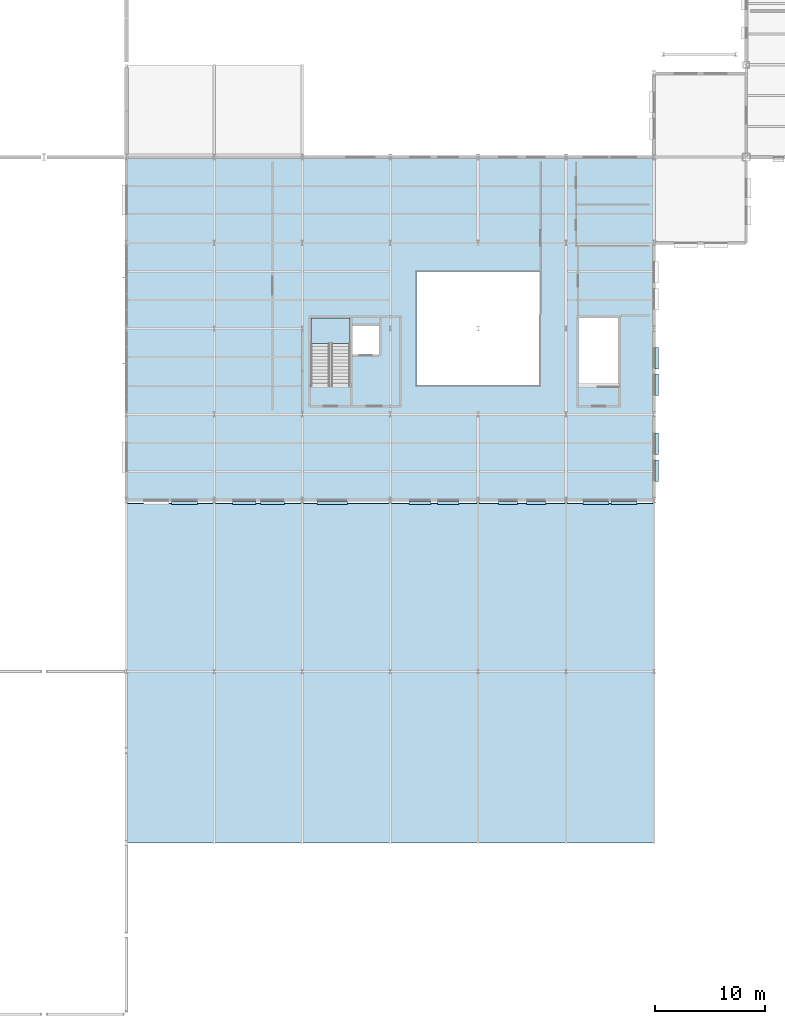
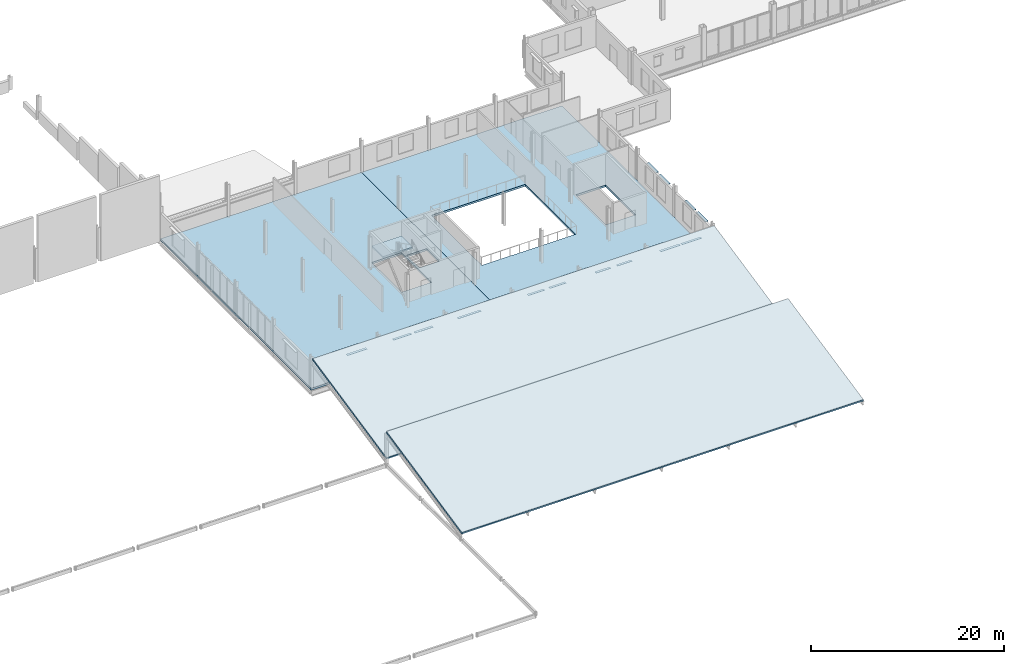
# One storey, part 21 of 45: 14 plates, 5 slabs, 1 element without a shape of its own.
"""IFC4 building model written with IfcOpenShell, lengths in metres."""

from ifc_helpers import new_model, si_unit, direction, frame, origin, origin_2d, place, context, subcontext, project, spatial, polyline, rectangle, outline, extrude, material, layer, layer_set, type_object, element, aggregate, save


model = new_model("IFC4")

# Units and contexts
model_context = context("Model", 3, precision=1e-05, world=origin(), true_north=direction((0.0, 1.0)))
body_context = subcontext(model_context, "Body", "Model", "MODEL_VIEW")
ifc_project = project(units=[si_unit("LENGTHUNIT", "METRE"), si_unit("AREAUNIT", "SQUARE_METRE"), si_unit("VOLUMEUNIT", "CUBIC_METRE"), si_unit("PLANEANGLEUNIT", "RADIAN"), si_unit("MASSUNIT", "GRAM", prefix="KILO")], contexts=[model_context])

# Site, building, storey
site_placement = place(None, origin())
site = spatial("IfcSite", under=ifc_project, at=site_placement, CompositionType="ELEMENT")
building_placement = place(site_placement, origin())
building = spatial("IfcBuilding", under=site, at=building_placement, Name="Yukiwa Park Conservatory and Herbarium", CompositionType="ELEMENT")
storey_placement = place(building_placement, frame((0.0, 0.0, 9.0)))
storey = spatial("IfcBuildingStorey", under=building, at=storey_placement, Name="L02", CompositionType="ELEMENT", Elevation=9.0)

# Plates
ifc_material_1 = material(Name="Anodised Aluminium", Category="aluminium")
ifc_layer_1 = layer(ifc_material_1, 0.0400390625)
ifc_layer_set_1 = layer_set([ifc_layer_1], Name="Anodised Aluminium")
plate_type = type_object("IfcPlateType", Name="PL-SHADE-ALU-40", PredefinedType="SHEET", material=ifc_layer_set_1)
for number, where, z_axis, x_axis, name in (
    (1, (108.27001953125, 49.47998046875, 3.1298828125), (0.0, 0.0, 1.0), (0.0, 1.0, 0.0), "L02 snow-shedding window hood 79"),
    (2, (108.27001953125, 51.919921875, 3.1298828125), (0.0, 0.0, 1.0), (0.0, 1.0, 0.0), "L02 snow-shedding window hood 80"),
    (3, (108.27001953125, 57.280029296875, 3.1298828125), (0.0, 0.0, 1.0), (0.0, 1.0, 0.0), "L02 snow-shedding window hood 81"),
    (4, (108.27001953125, 59.719970703125, 3.1298828125), (0.0, 0.0, 1.0), (0.0, 1.0, 0.0), "L02 snow-shedding window hood 82"),
):
    element("IfcPlate", number, at=place(storey_placement, frame(where, z_axis=z_axis, x_axis=x_axis)), inside=storey, type_object=plate_type, Name=name, PredefinedType="SHEET", context=body_context, shape_type="SweptSolid", body=[
        extrude(rectangle(XDim=1.9599609375, YDim=0.300048828125, at=origin_2d()), origin(), (0.0, 0.0, 1.0), 0.0400390625),
    ])
plate_1_placement = place(storey_placement, frame((65.282958984375, 46.530029296875, 2.929931640625), z_axis=(0.0, 0.0, 1.0), x_axis=(1.0, 0.0, 0.0)))
element("IfcPlate", 5, at=plate_1_placement, inside=storey, type_object=plate_type, Name="L02 snow-shedding window hood 110", PredefinedType="SHEET", context=body_context, shape_type="SweptSolid", body=[
    extrude(rectangle(XDim=2.360107421875, YDim=0.300048828125, at=origin_2d()), origin(), (0.0, 0.0, 1.0), 0.0400390625),
])
for number, where, z_axis, x_axis, name in (
    (6, (70.717041015625, 46.530029296875, 2.929931640625), (0.0, 0.0, 1.0), (1.0, 0.0, 0.0), "L02 snow-shedding window hood 111"),
    (7, (73.282958984375, 46.530029296875, 2.929931640625), (0.0, 0.0, 1.0), (1.0, 0.0, 0.0), "L02 snow-shedding window hood 112"),
):
    element("IfcPlate", number, at=place(storey_placement, frame(where, z_axis=z_axis, x_axis=x_axis)), inside=storey, type_object=plate_type, Name=name, PredefinedType="SHEET", context=body_context, shape_type="SweptSolid", body=[
        extrude(rectangle(XDim=2.159912109375, YDim=0.300048828125, at=origin_2d()), origin(), (0.0, 0.0, 1.0), 0.0400390625),
    ])
plate_2_placement = place(storey_placement, frame((78.717041015625, 46.530029296875, 2.929931640625), z_axis=(0.0, 0.0, 1.0), x_axis=(1.0, 0.0, 0.0)))
element("IfcPlate", 8, at=plate_2_placement, inside=storey, type_object=plate_type, Name="L02 snow-shedding window hood 113", PredefinedType="SHEET", context=body_context, shape_type="SweptSolid", body=[
    extrude(rectangle(XDim=2.760009765625, YDim=0.300048828125, at=origin_2d()), origin(), (0.0, 0.0, 1.0), 0.0400390625),
])
for number, where, z_axis, x_axis, name in (
    (9, (86.717041015625, 46.530029296875, 2.929931640625), (0.0, 0.0, 1.0), (1.0, 0.0, 0.0), "L02 snow-shedding window hood 114"),
    (10, (89.282958984375, 46.530029296875, 2.929931640625), (0.0, 0.0, 1.0), (1.0, 0.0, 0.0), "L02 snow-shedding window hood 115"),
):
    element("IfcPlate", number, at=place(storey_placement, frame(where, z_axis=z_axis, x_axis=x_axis)), inside=storey, type_object=plate_type, Name=name, PredefinedType="SHEET", context=body_context, shape_type="SweptSolid", body=[
        extrude(rectangle(XDim=1.9599609375, YDim=0.300048828125, at=origin_2d()), origin(), (0.0, 0.0, 1.0), 0.0400390625),
    ])
for number, where, z_axis, x_axis, name in (
    (11, (94.717041015625, 46.530029296875, 2.929931640625), (0.0, 0.0, 1.0), (1.0, 0.0, 0.0), "L02 snow-shedding window hood 116"),
    (12, (97.282958984375, 46.530029296875, 2.929931640625), (0.0, 0.0, 1.0), (1.0, 0.0, 0.0), "L02 snow-shedding window hood 117"),
):
    element("IfcPlate", number, at=place(storey_placement, frame(where, z_axis=z_axis, x_axis=x_axis)), inside=storey, type_object=plate_type, Name=name, PredefinedType="SHEET", context=body_context, shape_type="SweptSolid", body=[
        extrude(rectangle(XDim=1.760009765625, YDim=0.300048828125, at=origin_2d()), origin(), (0.0, 0.0, 1.0), 0.0400390625),
    ])
for number, where, z_axis, x_axis, name in (
    (13, (102.717041015625, 46.530029296875, 2.929931640625), (0.0, 0.0, 1.0), (1.0, 0.0, 0.0), "L02 snow-shedding window hood 118"),
    (14, (105.282958984375, 46.530029296875, 2.929931640625), (0.0, 0.0, 1.0), (1.0, 0.0, 0.0), "L02 snow-shedding window hood 119"),
):
    element("IfcPlate", number, at=place(storey_placement, frame(where, z_axis=z_axis, x_axis=x_axis)), inside=storey, type_object=plate_type, Name=name, PredefinedType="SHEET", context=body_context, shape_type="SweptSolid", body=[
        extrude(rectangle(XDim=2.360107421875, YDim=0.300048828125, at=origin_2d()), origin(), (0.0, 0.0, 1.0), 0.0400390625),
    ])

# Slabs
ifc_material_2 = material(Name="Concrete C40", Category="concrete")
ifc_layer_2 = layer(ifc_material_2, 0.2451171875)
ifc_layer_set_2 = layer_set([ifc_layer_2], Name="Concrete C40")
slab_type_1 = type_object("IfcSlabType", Name="SL-FLR-245", PredefinedType="FLOOR", material=ifc_layer_set_2)
slab_1_placement = place(storey_placement, frame((0.0, 0.0, -0.2451171875)))
element("IfcSlab", 15, at=slab_1_placement, inside=storey, type_object=slab_type_1, Name="L02 composite structural floor slab V3W", PredefinedType="FLOOR", context=body_context, shape_type="SweptSolid", body=[
    extrude(outline(polyline([(84.0, 78.0), (84.0, 46.800048828125), (60.0, 46.800048828125), (60.0, 78.0), (84.0, 78.0)]), holes=[polyline([(76.800048828125, 63.35009765625), (76.800048828125, 57.14990234375), (80.35009765625, 57.14990234375), (80.35009765625, 63.35009765625), (76.800048828125, 63.35009765625)]), polyline([(82.969970703125, 62.64990234375), (80.570068359375, 62.64990234375), (80.570068359375, 60.050048828125), (82.969970703125, 60.050048828125), (82.969970703125, 62.64990234375)])]), origin(), (0.0, 0.0, 1.0), 0.2451171875),
])
slab_2_placement = place(storey_placement, frame((0.0, 0.0, -0.2451171875)))
element("IfcSlab", 16, at=slab_2_placement, inside=storey, type_object=slab_type_1, Name="L02 composite structural floor slab V3E", PredefinedType="FLOOR", context=body_context, shape_type="SweptSolid", body=[
    extrude(outline(polyline([(108.0, 46.800048828125), (84.0, 46.800048828125), (84.0, 78.0), (108.0, 78.0), (108.0, 46.800048828125)]), holes=[polyline([(86.39990234375, 57.199951171875), (97.60009765625, 57.199951171875), (97.60009765625, 67.60009765625), (86.39990234375, 67.60009765625), (86.39990234375, 57.199951171875)]), polyline([(104.75, 63.35009765625), (101.199951171875, 63.35009765625), (101.199951171875, 57.14990234375), (104.75, 57.14990234375), (104.75, 63.35009765625)])]), origin(), (0.0, 0.0, 1.0), 0.2451171875),
])

# Stair, slab
ifc_material_3 = material(Name="Concrete C40", Category="concrete")
stair_type = type_object("IfcStairType", Name="ST-DOGLEG-ST-V1", PredefinedType="HALF_TURN_STAIR", material=ifc_material_3)
stair_placement = place(storey_placement, origin())
stair = element("IfcStair", 17, at=stair_placement, inside=storey, type_object=stair_type, Name="L02 Visitor Core Exit Stair ST-V1", PredefinedType="HALF_TURN_STAIR")
ifc_material_4 = material(Name="Concrete C40", Category="concrete")
ifc_layer_3 = layer(ifc_material_4, 0.199951171875)
ifc_layer_set_3 = layer_set([ifc_layer_3], Name="Concrete C40")
slab_type_2 = type_object("IfcSlabType", Name="SL-LANDING-220", PredefinedType="LANDING", material=ifc_layer_set_3)
slab_3_placement = place(storey_placement, frame((0.0, 0.0, 1.89990234375)))
slab_3 = element("IfcSlab", 18, at=slab_3_placement, type_object=slab_type_2, Name="ST-V1 landing 1", PredefinedType="LANDING", context=body_context, shape_type="SweptSolid", body=[
    extrude(outline(polyline([(80.35009765625, 61.050048828125), (80.35009765625, 63.35009765625), (76.800048828125, 63.35009765625), (76.800048828125, 61.050048828125), (80.35009765625, 61.050048828125)])), origin(), (0.0, 0.0, 1.0), 0.2001953125),
])
aggregate(stair, [slab_3])

# Slabs
ifc_material_5 = material(Name="Concrete C40", Category="concrete")
ifc_layer_4 = layer(ifc_material_5, 0.219970703125)
ifc_layer_set_4 = layer_set([ifc_layer_4], Name="Concrete C40")
slab_type_3 = type_object("IfcSlabType", Name="SL-ROOF-220", PredefinedType="ROOF", material=ifc_layer_set_4)
slab_4_placement = place(storey_placement, frame((60.0, 15.60009765625, 0.679931640625), z_axis=(0.0, -0.207915694847, 0.978146749643), x_axis=(1.0, 0.0, 0.0)))
element("IfcSlab", 19, at=slab_4_placement, inside=storey, type_object=slab_type_3, Name="Botanical Concourse south sloped roof slab", PredefinedType="ROOF", context=body_context, shape_type="SweptSolid", body=[
    extrude(outline(polyline([(0.0, 0.0), (48.0, 0.0), (48.0, 15.94837739973684), (0.0, 15.94837739973684), (0.0, 0.0)])), origin(), (0.0, 0.0, -1.0), 0.219970703125),
])
slab_5_placement = place(storey_placement, frame((60.0, 31.199951171875, 0.679931640625), z_axis=(0.0, -0.207916063876, 0.978146671201), x_axis=(1.0, 0.0, 0.0)))
element("IfcSlab", 20, at=slab_5_placement, inside=storey, type_object=slab_type_3, Name="Botanical Concourse north sloped roof slab", PredefinedType="ROOF", context=body_context, shape_type="SweptSolid", body=[
    extrude(outline(polyline([(0.0, 0.0), (48.0, 0.0), (48.0, 15.641875884865852), (0.0, 15.641875884865852), (0.0, 0.0)])), origin(), (0.0, 0.0, -1.0), 0.219970703125),
])

save(model, "model.ifc")
